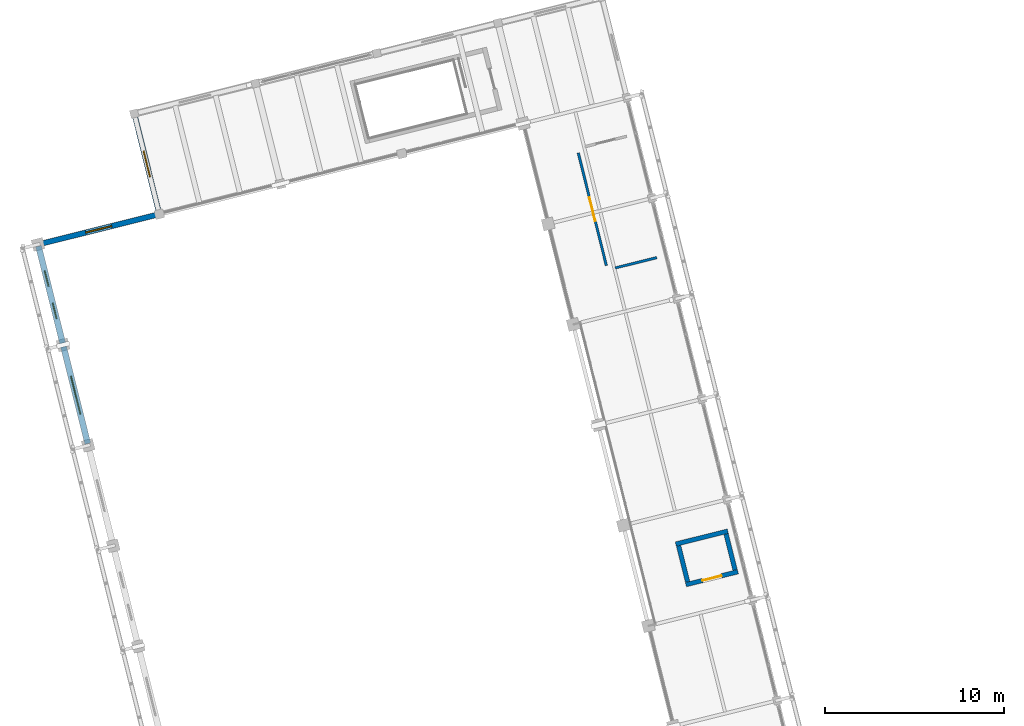
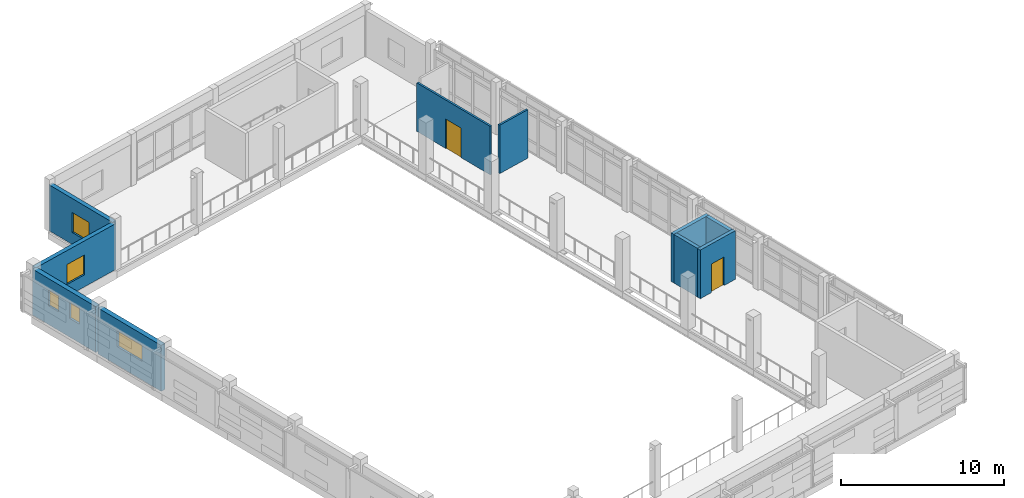
# One storey, part 95 of 117: 10 walls, 5 windows, 2 doors, 7 openings.
"""IFC4 building model written with IfcOpenShell, lengths in metres."""

import ifcopenshell
import ifcopenshell.guid

model = None  # the IFC model being written
_history = None  # IfcOwnerHistory: only IFC2X3 demands one
_inside = {}  # id of a spatial element -> (the spatial element, [elements in it])
_under = {}  # id of a project, library or spatial element -> (it, [spatial elements below it])
_declared = {}  # id of a project -> (the project, [libraries it declares])
_typed = {}  # id of a type object -> (the type object, [elements of that type])
_made_of = {}  # id of a material, layer set ... -> (it, [elements and type objects made of it])


def new_model(schema):
    """Start an empty IFC model of exactly this schema.

    Asked for "IFC4X3", IfcOpenShell would pick the latest addendum, in which some entities
    have other attributes; the version numbers below select the first issue.
    IFC2X3 requires an IfcOwnerHistory on every rooted entity: one is made here for all.
    """
    global model, _history
    if schema == "IFC4X3":
        model = ifcopenshell.file(schema_version=(4, 3, 0, 0))
    else:
        model = ifcopenshell.file(schema=schema)
    _inside.clear()
    _under.clear()
    _declared.clear()
    _typed.clear()
    _made_of.clear()
    _history = None
    if model.schema == "IFC2X3":
        org = make("IfcOrganization", Name="unknown")
        user = make(
            "IfcPersonAndOrganization",
            ThePerson=make("IfcPerson", FamilyName="unknown"),
            TheOrganization=org,
        )
        app = make(
            "IfcApplication",
            ApplicationDeveloper=org,
            Version="unknown",
            ApplicationFullName="unknown",
            ApplicationIdentifier="unknown",
        )
        _history = make(
            "IfcOwnerHistory",
            OwningUser=user,
            OwningApplication=app,
            ChangeAction="ADDED",
            CreationDate=0,
        )
    return model


def make(cls, **values):
    """One entity of the class cls with the attributes given. An attribute that is None is left unset."""
    return model.create_entity(
        cls, **{name: value for name, value in values.items() if value is not None}
    )


def rooted(cls, **values):
    """An entity with a GlobalId (a new one), such as an element, a storey or a relation."""
    return make(cls, GlobalId=ifcopenshell.guid.new(), OwnerHistory=_history, **values)


def si_unit(unit_type, name, prefix=None):
    """IfcSIUnit, for example si_unit("LENGTHUNIT", "METRE", prefix="MILLI")."""
    return make("IfcSIUnit", UnitType=unit_type, Prefix=prefix, Name=name)


def assignment(units):
    """IfcUnitAssignment: the units of a project."""
    return None if units is None else make("IfcUnitAssignment", Units=units)


def point(xyz):
    """IfcCartesianPoint."""
    return None if xyz is None else make("IfcCartesianPoint", Coordinates=xyz)


def direction(xyz):
    """IfcDirection."""
    return None if xyz is None else make("IfcDirection", DirectionRatios=xyz)


def frame(location, z_axis=None, x_axis=None):
    """IfcAxis2Placement3D, a coordinate frame: its origin and axes. An axis left out is left unset."""
    return make(
        "IfcAxis2Placement3D",
        Location=point(location),
        Axis=direction(z_axis),
        RefDirection=direction(x_axis),
    )


def frame_2d(location, x_axis=None):
    """IfcAxis2Placement2D, a coordinate frame in the plane: its origin and x axis."""
    return make(
        "IfcAxis2Placement2D", Location=point(location), RefDirection=direction(x_axis)
    )


def origin():
    """The frame at (0, 0, 0) with its axes left unset."""
    return frame((0.0, 0.0, 0.0))


def place(relative_to, where):
    """IfcLocalPlacement: puts the frame where relative to a parent placement (None: the world)."""
    return make(
        "IfcLocalPlacement", PlacementRelTo=relative_to, RelativePlacement=where
    )


def context(
    kind, dimensions, precision=None, world=None, true_north=None, identifier=None
):
    """IfcGeometricRepresentationContext, for example the 3D "Model" context."""
    return make(
        "IfcGeometricRepresentationContext",
        ContextIdentifier=identifier,
        ContextType=kind,
        CoordinateSpaceDimension=dimensions,
        Precision=precision,
        WorldCoordinateSystem=world,
        TrueNorth=true_north,
    )


def subcontext(parent, identifier, kind, view, scale=None):
    """IfcGeometricRepresentationSubContext, for example "Body" below "Model"."""
    return make(
        "IfcGeometricRepresentationSubContext",
        ContextIdentifier=identifier,
        ContextType=kind,
        ParentContext=parent,
        TargetScale=scale,
        TargetView=view,
    )


def project(units=None, contexts=None):
    """IfcProject with its units and contexts."""
    return rooted(
        "IfcProject",
        Name="project",
        RepresentationContexts=contexts,
        UnitsInContext=assignment(units),
    )


def spatial(cls, under=None, at=None, **own):
    """A site, building, storey or space (cls), placed at a placement, below another one or the project."""
    s = rooted(cls, ObjectPlacement=at, **own)
    if under is not None:
        _under.setdefault(under.id(), (under, []))[1].append(s)
    return s


def profile(cls, at=None, kind="AREA", **sizes):
    """A parametric profile (cls). Its sizes go by their IFC names, for example OverallWidth=200.0."""
    return make(cls, ProfileType=kind, Position=at, **sizes)


def rectangle(**sizes):
    """IfcRectangleProfileDef."""
    return profile("IfcRectangleProfileDef", **sizes)


def extrude(swept, where, along, depth):
    """IfcExtrudedAreaSolid: the profile swept, set in the frame where, extruded along a direction by depth."""
    return make(
        "IfcExtrudedAreaSolid",
        SweptArea=swept,
        Position=where,
        ExtrudedDirection=direction(along),
        Depth=depth,
    )


def shape(context_of_items, identifier, shape_type, items):
    """IfcShapeRepresentation: the items that make up one representation, for example the "Body"."""
    return make(
        "IfcShapeRepresentation",
        ContextOfItems=context_of_items,
        RepresentationIdentifier=identifier,
        RepresentationType=shape_type,
        Items=items,
    )


def material(Name=None, Category=None):
    """IfcMaterial."""
    return make("IfcMaterial", Name=Name, Category=Category)


def layer(
    of_material, thickness, ventilated=None, Name=None, Category=None, Priority=None
):
    """IfcMaterialLayer: one layer of a wall or slab, of a material (None: an air gap)."""
    return make(
        "IfcMaterialLayer",
        Material=of_material,
        LayerThickness=thickness,
        IsVentilated=ventilated,
        Name=Name,
        Category=Category,
        Priority=Priority,
    )


def layer_set(layers, Name=None):
    """IfcMaterialLayerSet."""
    return make("IfcMaterialLayerSet", MaterialLayers=layers, LayerSetName=Name)


def made_of(thing, what):
    """Note that an element or type object is made of a material, layer set ...; save() writes the relation."""
    if what is not None:
        _made_of.setdefault(what.id(), (what, []))[1].append(thing)
    return thing


def type_object(cls, material=None, **own):
    """A type object (cls), such as IfcWallType, which elements share."""
    return made_of(rooted(cls, **own), material)


def element(
    cls,
    number,
    at=None,
    inside=None,
    cuts=None,
    type_object=None,
    material=None,
    context=None,
    identifier="Body",
    shape_type=None,
    held_by="IfcProductDefinitionShape",
    body=None,
    shapes=None,
    **own,
):
    """One element of the class cls, such as IfcWall. Its Tag is "e" and its number.

    at: its placement. inside: the storey or other place that contains it. cuts: it is an
    opening in that element (IfcRelVoidsElement). A single representation is given by context,
    identifier, shape_type and body (its items); several are given by shapes. held_by: the class
    of the entity that holds the representations. save() writes the other relations.
    """
    e = rooted(cls, Tag="e%d" % number, ObjectPlacement=at, **own)
    if body is not None:
        shapes = [shape(context, identifier, shape_type, body)]
    if shapes is not None:
        e.Representation = make(held_by, Representations=shapes)
    if inside is not None:
        _inside.setdefault(inside.id(), (inside, []))[1].append(e)
    if cuts is not None:
        rooted(
            "IfcRelVoidsElement", RelatingBuildingElement=cuts, RelatedOpeningElement=e
        )
    if type_object is not None:
        _typed.setdefault(type_object.id(), (type_object, []))[1].append(e)
    return made_of(e, material)


def fill(opening, filler):
    """IfcRelFillsElement: the door or window that sits in an opening."""
    return rooted(
        "IfcRelFillsElement",
        RelatingOpeningElement=opening,
        RelatedBuildingElement=filler,
    )


def aggregate(whole, parts):
    """IfcRelAggregates: a whole, such as a stair, and the parts it consists of."""
    return rooted("IfcRelAggregates", RelatingObject=whole, RelatedObjects=parts)


def save(model, path):
    """Write the relations noted so far, then the file.

    IfcRelAggregates (storeys below a building ...), IfcRelContainedInSpatialStructure (elements
    in a storey), IfcRelDefinesByType, IfcRelAssociatesMaterial and IfcRelDeclares: one each for
    every whole, place, type object, material and project.
    """
    for whole, parts in _under.values():
        aggregate(whole, parts)
    for where, things in _inside.values():
        rooted(
            "IfcRelContainedInSpatialStructure",
            RelatedElements=things,
            RelatingStructure=where,
        )
    for kind, things in _typed.values():
        rooted("IfcRelDefinesByType", RelatedObjects=things, RelatingType=kind)
    for what, things in _made_of.values():
        rooted("IfcRelAssociatesMaterial", RelatedObjects=things, RelatingMaterial=what)
    for by, libraries in _declared.values():
        rooted("IfcRelDeclares", RelatingContext=by, RelatedDefinitions=libraries)
    model.write(path)


model = new_model("IFC4")

# Units and contexts
model_context = context("Model", 3, precision=1e-05, world=origin(), true_north=direction((0.0, 1.0)))
body_context = subcontext(model_context, "Body", "Model", "MODEL_VIEW")
ifc_project = project(units=[si_unit("LENGTHUNIT", "METRE"), si_unit("AREAUNIT", "SQUARE_METRE"), si_unit("VOLUMEUNIT", "CUBIC_METRE"), si_unit("PLANEANGLEUNIT", "RADIAN"), si_unit("MASSUNIT", "GRAM", prefix="KILO")], contexts=[model_context])

# Site, building, storey
site_placement = place(None, origin())
site = spatial("IfcSite", under=ifc_project, at=site_placement, CompositionType="ELEMENT")
building_placement = place(site_placement, origin())
building = spatial("IfcBuilding", under=site, at=building_placement, Name="Cinderway Yard Community Centre", CompositionType="ELEMENT")
storey_placement = place(building_placement, frame((0.0, 0.0, 9.0)))
storey = spatial("IfcBuildingStorey", under=building, at=storey_placement, Name="L02", CompositionType="ELEMENT", Elevation=9.0)

# Wall, opening, window
ifc_material_1 = material(Name="Brick Masonry", Category="masonry")
ifc_layer_1 = layer(ifc_material_1, 0.300048828125, Name="Brick Masonry")
ifc_layer_set_1 = layer_set([ifc_layer_1], Name="Brick Masonry")
wall_type_1 = type_object("IfcWallType", Name="ENV-WAL-EXT300", PredefinedType="SOLIDWALL", material=ifc_layer_set_1)
wall_1_placement = place(storey_placement, frame((10.06494140625, 64.530029296875, 0.0), z_axis=(0.0, 0.0, 1.0), x_axis=(0.97027883487, 0.241989633258, 0.0)))
wall_1 = element("IfcWall", 1, at=wall_1_placement, inside=storey, type_object=wall_type_1, Name="Main Hall NW Return ENV-WAL-L02-0047", PredefinedType="SOLIDWALL", context=body_context, shape_type="SweptSolid", body=[
    extrude(rectangle(XDim=6.83935546875, YDim=0.300048828125, at=frame_2d((3.419677734375, 0.0))), origin(), (0.0, 0.0, 1.0), 3.449951171875),
])
opening_1_placement = place(wall_1_placement, frame((2.669921875, 0.0, 0.89990234375)))
opening_1 = element("IfcOpeningElement", 2, at=opening_1_placement, cuts=wall_1, Name="Opening W-02", PredefinedType="OPENING", context=body_context, shape_type="SweptSolid", body=[
    extrude(rectangle(XDim=1.5, YDim=1.5, at=frame_2d((0.75, 0.75))), frame((0.0, 0.159912109375, 0.0), z_axis=(0.0, -1.0, 0.0), x_axis=(1.0, 0.0, 0.0)), (0.0, 0.0, 1.0), 0.320068359375),
])
ifc_material_2 = material(Name="Laminated Low-E Glass", Category="glass")
window_type_1 = type_object("IfcWindowType", Name="ENV-WIN-W02", PartitioningType="DOUBLE_PANEL_VERTICAL", PredefinedType="WINDOW", material=ifc_material_2)
window_1_placement = place(opening_1_placement, origin())
window_1 = element("IfcWindow", 3, at=window_1_placement, inside=storey, type_object=window_type_1, Name="Exterior window ENV-WIN-L02-0035", OverallHeight=1.5, OverallWidth=1.5, PartitioningType="SINGLE_PANEL", PredefinedType="WINDOW", context=body_context, shape_type="SweptSolid", body=[
    extrude(rectangle(XDim=1.5, YDim=1.5, at=frame_2d((0.75, 0.75))), frame((0.0, 0.030029296875, 0.0), z_axis=(0.0, -1.0, 0.0), x_axis=(1.0, 0.0, 0.0)), (0.0, 0.0, 1.0), 0.06005859375),
])
fill(opening_1, window_1)

wall_2_placement = place(storey_placement, frame((16.760009765625, 66.281982421875, 0.0), z_axis=(0.0, 0.0, 1.0), x_axis=(-0.242036480393, 0.970267149892, 0.0)))
wall_2 = element("IfcWall", 4, at=wall_2_placement, inside=storey, type_object=wall_type_1, Name="Stage West Wall ENV-WAL-L02-0048", PredefinedType="SOLIDWALL", context=body_context, shape_type="SweptSolid", body=[
    extrude(rectangle(XDim=5.6396484375, YDim=0.300048828125, at=frame_2d((2.81982421875, 0.0))), origin(), (0.0, 0.0, 1.0), 3.449951171875),
])
opening_2_placement = place(wall_2_placement, frame((2.070068359375, 0.0, 0.89990234375)))
opening_2 = element("IfcOpeningElement", 5, at=opening_2_placement, cuts=wall_2, Name="Opening W-02", PredefinedType="OPENING", context=body_context, shape_type="SweptSolid", body=[
    extrude(rectangle(XDim=1.5, YDim=1.5, at=frame_2d((0.75, 0.75))), frame((0.0, 0.159912109375, 0.0), z_axis=(0.0, -1.0, 0.0), x_axis=(1.0, 0.0, 0.0)), (0.0, 0.0, 1.0), 0.320068359375),
])
window_2_placement = place(opening_2_placement, origin())
window_2 = element("IfcWindow", 6, at=window_2_placement, inside=storey, type_object=window_type_1, Name="Exterior window ENV-WIN-L02-0036", OverallHeight=1.5, OverallWidth=1.5, PartitioningType="SINGLE_PANEL", PredefinedType="WINDOW", context=body_context, shape_type="SweptSolid", body=[
    extrude(rectangle(XDim=1.5, YDim=1.5, at=frame_2d((0.75, 0.75))), frame((0.0, 0.030029296875, 0.0), z_axis=(0.0, -1.0, 0.0), x_axis=(1.0, 0.0, 0.0)), (0.0, 0.0, 1.0), 0.06005859375),
])
fill(opening_2, window_2)

ifc_layer_2 = layer(ifc_material_1, 0.340087890625, Name="Brick Masonry")
ifc_layer_set_2 = layer_set([ifc_layer_2], Name="Brick Masonry")
wall_type_2 = type_object("IfcWallType", Name="ENV-WAL-EXT340", PredefinedType="SOLIDWALL", material=ifc_layer_set_2)
wall_3_placement = place(storey_placement, frame((12.77001953125, 53.35205078125, 0.0), z_axis=(0.0, 0.0, 1.0), x_axis=(-0.241950898373, 0.970288494612, 0.0)))
wall_3 = element("IfcWall", 7, at=wall_3_placement, inside=storey, type_object=wall_type_2, Name="Main Hall West Brick Wall ENV-WAL-L02-0041", PredefinedType="SOLIDWALL", context=body_context, shape_type="SweptSolid", body=[
    extrude(rectangle(XDim=5.600341796875, YDim=0.340087890625, at=frame_2d((2.80029296875, 0.0))), origin(), (0.0, 0.0, 1.0), 3.449951171875),
])
opening_3_placement = place(wall_3_placement, frame((1.699951171875, 0.0, 1.39990234375)))
opening_3 = element("IfcOpeningElement", 8, at=opening_3_placement, cuts=wall_3, Name="Opening W-22", PredefinedType="OPENING", context=body_context, shape_type="SweptSolid", body=[
    extrude(rectangle(XDim=2.199951171875, YDim=1.199951171875, at=frame_2d((1.10009765625, 0.60009765625))), frame((0.0, 0.179931640625, 0.0), z_axis=(0.0, -1.0, 0.0), x_axis=(1.0, 0.0, 0.0)), (0.0, 0.0, 1.0), 0.360107421875),
])
window_type_2 = type_object("IfcWindowType", Name="ENV-WIN-W22", PartitioningType="DOUBLE_PANEL_VERTICAL", PredefinedType="WINDOW", material=ifc_material_2)
window_3_placement = place(opening_3_placement, origin())
window_3 = element("IfcWindow", 9, at=window_3_placement, inside=storey, type_object=window_type_2, Name="Exterior window ENV-WIN-L02-0028", OverallHeight=1.199951171875, OverallWidth=2.199951171875, PartitioningType="SINGLE_PANEL", PredefinedType="WINDOW", context=body_context, shape_type="SweptSolid", body=[
    extrude(rectangle(XDim=2.199951171875, YDim=1.199951171875, at=frame_2d((1.10009765625, 0.60009765625))), frame((0.0, 0.030029296875, 0.0), z_axis=(0.0, -1.0, 0.0), x_axis=(1.0, 0.0, 0.0)), (0.0, 0.0, 1.0), 0.06005859375),
])
fill(opening_3, window_3)

# Wall, openings, windows
wall_4_placement = place(storey_placement, frame((11.365966796875, 58.97998046875, 0.0), z_axis=(0.0, 0.0, 1.0), x_axis=(-0.24177648925, 0.970331968579, 0.0)))
wall_4 = element("IfcWall", 10, at=wall_4_placement, inside=storey, type_object=wall_type_2, Name="Main Hall West Brick Wall ENV-WAL-L02-0042", PredefinedType="SOLIDWALL", context=body_context, shape_type="SweptSolid", body=[
    extrude(rectangle(XDim=5.600341796875, YDim=0.340087890625, at=frame_2d((2.80029296875, 0.0))), origin(), (0.0, 0.0, 1.0), 3.449951171875),
])
opening_4_placement = place(wall_4_placement, frame((1.4169921875, 0.0, 1.39990234375)))
opening_4 = element("IfcOpeningElement", 11, at=opening_4_placement, cuts=wall_4, Name="Opening W-19", PredefinedType="OPENING", context=body_context, shape_type="SweptSolid", body=[
    extrude(rectangle(XDim=0.89990234375, YDim=1.199951171875, at=frame_2d((0.449951171875, 0.60009765625))), frame((0.0, 0.179931640625, 0.0), z_axis=(0.0, -1.0, 0.0), x_axis=(1.0, 0.0, 0.0)), (0.0, 0.0, 1.0), 0.360107421875),
])
opening_5_placement = place(wall_4_placement, frame((3.282958984375, 0.0, 1.39990234375)))
opening_5 = element("IfcOpeningElement", 12, at=opening_5_placement, cuts=wall_4, Name="Opening W-19", PredefinedType="OPENING", context=body_context, shape_type="SweptSolid", body=[
    extrude(rectangle(XDim=0.89990234375, YDim=1.199951171875, at=frame_2d((0.449951171875, 0.60009765625))), frame((0.0, 0.179931640625, 0.0), z_axis=(0.0, -1.0, 0.0), x_axis=(1.0, 0.0, 0.0)), (0.0, 0.0, 1.0), 0.360107421875),
])
window_type_3 = type_object("IfcWindowType", Name="ENV-WIN-W19", PartitioningType="SINGLE_PANEL", PredefinedType="WINDOW", material=ifc_material_2)
window_4_placement = place(opening_4_placement, origin())
window_4 = element("IfcWindow", 13, at=window_4_placement, inside=storey, type_object=window_type_3, Name="Exterior window ENV-WIN-L02-0029", OverallHeight=1.199951171875, OverallWidth=0.89990234375, PartitioningType="SINGLE_PANEL", PredefinedType="WINDOW", context=body_context, shape_type="SweptSolid", body=[
    extrude(rectangle(XDim=0.89990234375, YDim=1.199951171875, at=frame_2d((0.449951171875, 0.60009765625))), frame((0.0, 0.030029296875, 0.0), z_axis=(0.0, -1.0, 0.0), x_axis=(1.0, 0.0, 0.0)), (0.0, 0.0, 1.0), 0.06005859375),
])
fill(opening_4, window_4)
window_5_placement = place(opening_5_placement, origin())
window_5 = element("IfcWindow", 14, at=window_5_placement, inside=storey, type_object=window_type_3, Name="Exterior window ENV-WIN-L02-0030", OverallHeight=1.199951171875, OverallWidth=0.89990234375, PartitioningType="SINGLE_PANEL", PredefinedType="WINDOW", context=body_context, shape_type="SweptSolid", body=[
    extrude(rectangle(XDim=0.89990234375, YDim=1.199951171875, at=frame_2d((0.449951171875, 0.60009765625))), frame((0.0, 0.030029296875, 0.0), z_axis=(0.0, -1.0, 0.0), x_axis=(1.0, 0.0, 0.0)), (0.0, 0.0, 1.0), 0.06005859375),
])
fill(opening_5, window_5)

# Wall, opening, door
ifc_material_3 = material(Name="Gypsum Board Partition", Category="gypsum")
ifc_layer_3 = layer(ifc_material_3, 0.139892578125, Name="Gypsum Board Partition")
ifc_layer_set_3 = layer_set([ifc_layer_3], Name="Gypsum Board Partition")
wall_type_3 = type_object("IfcWallType", Name="INT-WAL-PRT140", PredefinedType="PARTITIONING", material=ifc_layer_set_3)
wall_5_placement = place(storey_placement, frame((41.819091796875, 63.326904296875, 0.0), z_axis=(0.0, 0.0, 1.0), x_axis=(-0.241881495727, 0.970305798202, 0.0)))
wall_5 = element("IfcWall", 15, at=wall_5_placement, inside=storey, type_object=wall_type_3, Name="V1 Upper WC Spine INT-PRT-L02-0246", PredefinedType="PARTITIONING", context=body_context, shape_type="SweptSolid", body=[
    extrude(rectangle(XDim=6.4990234375, YDim=0.139892578125, at=frame_2d((3.24951171875, 0.0))), origin(), (0.0, 0.0, 1.0), 3.64501953125),
])
opening_6_placement = place(wall_5_placement, frame((2.569091796875, 0.0, 0.0)))
opening_6 = element("IfcOpeningElement", 16, at=opening_6_placement, cuts=wall_5, Name="Opening D-15", PredefinedType="OPENING", context=body_context, shape_type="SweptSolid", body=[
    extrude(rectangle(XDim=1.360107421875, YDim=2.219970703125, at=frame_2d((0.68017578125, 1.10986328125))), frame((0.0, 0.079833984375, 0.0), z_axis=(0.0, -1.0, 0.0), x_axis=(1.0, 0.0, 0.0)), (0.0, 0.0, 1.0), 0.159912109375),
])
ifc_material_4 = material(Name="Hardwood Timber", Category="wood")
door_type_1 = type_object("IfcDoorType", Name="INT-DOR-STU136", OperationType="DOUBLE_DOOR_SINGLE_SWING", PredefinedType="DOOR", material=ifc_material_4)
door_1_placement = place(opening_6_placement, origin())
door_1 = element("IfcDoor", 17, at=door_1_placement, inside=storey, type_object=door_type_1, Name="Room door INT-DOR-L02-0195", OperationType="DOUBLE_DOOR_SINGLE_SWING", OverallHeight=2.219970703125, OverallWidth=1.360107421875, PredefinedType="DOOR", context=body_context, shape_type="SweptSolid", body=[
    extrude(rectangle(XDim=1.360107421875, YDim=2.219970703125, at=frame_2d((0.68017578125, 1.10986328125))), frame((0.0, 0.02490234375, 0.0), z_axis=(0.0, -1.0, 0.0), x_axis=(1.0, 0.0, 0.0)), (0.0, 0.0, 1.0), 0.050048828125),
])
fill(opening_6, door_1)

# Wall
wall_6_placement = place(storey_placement, frame((42.31689453125, 63.193115234375, 0.0), z_axis=(0.0, 0.0, 1.0), x_axis=(0.970357603284, 0.24167358513, 0.0)))
element("IfcWall", 18, at=wall_6_placement, inside=storey, type_object=wall_type_3, Name="V1 Gallery Sanitary Partition INT-PRT-L02-0247", PredefinedType="PARTITIONING", context=body_context, shape_type="SweptSolid", body=[
    extrude(rectangle(XDim=2.399169921875, YDim=0.139892578125, at=frame_2d((1.19970703125, 0.0))), origin(), (0.0, 0.0, 1.0), 3.64501953125),
])

# Wall, opening, door
ifc_material_5 = material(Name="Concrete C40/50", Category="concrete")
ifc_layer_4 = layer(ifc_material_5, 0.25, Name="Concrete C40/50")
ifc_layer_set_4 = layer_set([ifc_layer_4], Name="Concrete C40/50")
wall_type_4 = type_object("IfcWallType", Name="INT-WAL-SHR250", PredefinedType="SHEAR", material=ifc_layer_set_4)
wall_7_placement = place(storey_placement, frame((46.27587890625, 45.4541015625, 0.0), z_axis=(0.0, 0.0, 1.0), x_axis=(0.970276420912, 0.241999312028, 0.0)))
wall_7 = element("IfcWall", 19, at=wall_7_placement, inside=storey, type_object=wall_type_4, Name="Lift LF-03 South Wall INT-WAL-L02-0145", PredefinedType="SHEAR", context=body_context, shape_type="SweptSolid", body=[
    extrude(rectangle(XDim=2.999267578125, YDim=0.25, at=frame_2d((1.49951171875, 0.0))), origin(), (0.0, 0.0, 1.0), 3.659912109375),
])
opening_7_placement = place(wall_7_placement, frame((0.949951171875, 0.0, 0.0)))
opening_7 = element("IfcOpeningElement", 20, at=opening_7_placement, cuts=wall_7, Name="Opening LD-01", PredefinedType="OPENING", context=body_context, shape_type="SweptSolid", body=[
    extrude(rectangle(XDim=1.10009765625, YDim=2.14990234375, at=frame_2d((0.550048828125, 1.074951171875))), frame((0.0, 0.135009765625, 0.0), z_axis=(0.0, -1.0, 0.0), x_axis=(1.0, 0.0, 0.0)), (0.0, 0.0, 1.0), 0.27001953125),
])
ifc_material_6 = material(Name="Painted Galvanised Steel", Category="steel")
door_type_2 = type_object("IfcDoorType", Name="INT-DOR-LD01", OperationType="SLIDING_TO_LEFT", PredefinedType="DOOR", material=ifc_material_6)
door_2_placement = place(opening_7_placement, origin())
door_2 = element("IfcDoor", 21, at=door_2_placement, inside=storey, type_object=door_type_2, Name="Lift landing door INT-DOR-L02-0040", OperationType="SLIDING_TO_LEFT", OverallHeight=2.14990234375, OverallWidth=1.10009765625, PredefinedType="DOOR", context=body_context, shape_type="SweptSolid", body=[
    extrude(rectangle(XDim=1.10009765625, YDim=2.14990234375, at=frame_2d((0.550048828125, 1.074951171875))), frame((0.0, 0.02490234375, 0.0), z_axis=(0.0, -1.0, 0.0), x_axis=(1.0, 0.0, 0.0)), (0.0, 0.0, 1.0), 0.050048828125),
])
fill(opening_7, door_2)

# Walls
wall_8_placement = place(storey_placement, frame((48.6201171875, 48.449951171875, 0.0), z_axis=(0.0, 0.0, 1.0), x_axis=(-0.970276420912, -0.241999312028, 0.0)))
element("IfcWall", 22, at=wall_8_placement, inside=storey, type_object=wall_type_4, Name="Lift LF-03 North Wall INT-WAL-L02-0146", PredefinedType="SHEAR", context=body_context, shape_type="SweptSolid", body=[
    extrude(rectangle(XDim=2.999267578125, YDim=0.25, at=frame_2d((1.49951171875, 0.0))), origin(), (0.0, 0.0, 1.0), 3.659912109375),
])
wall_9_placement = place(storey_placement, frame((49.029052734375, 46.27392578125, 0.0), z_axis=(0.0, 0.0, 1.0), x_axis=(-0.241817773214, 0.970321680969, 0.0)))
element("IfcWall", 23, at=wall_9_placement, inside=storey, type_object=wall_type_4, Name="Lift LF-03 East Wall INT-WAL-L02-0147", PredefinedType="SHEAR", context=body_context, shape_type="SweptSolid", body=[
    extrude(rectangle(XDim=2.080810546875, YDim=0.25, at=frame_2d((1.04052734375, 0.0))), origin(), (0.0, 0.0, 1.0), 3.659912109375),
])
wall_10_placement = place(storey_placement, frame((45.866943359375, 47.6298828125, 0.0), z_axis=(0.0, 0.0, 1.0), x_axis=(0.241845306756, -0.970314818809, 0.0)))
element("IfcWall", 24, at=wall_10_placement, inside=storey, type_object=wall_type_4, Name="Lift LF-03 West Wall INT-WAL-L02-0148", PredefinedType="SHEAR", context=body_context, shape_type="SweptSolid", body=[
    extrude(rectangle(XDim=2.08056640625, YDim=0.25, at=frame_2d((1.040283203125, 0.0))), origin(), (0.0, 0.0, 1.0), 3.659912109375),
])

save(model, "model.ifc")
